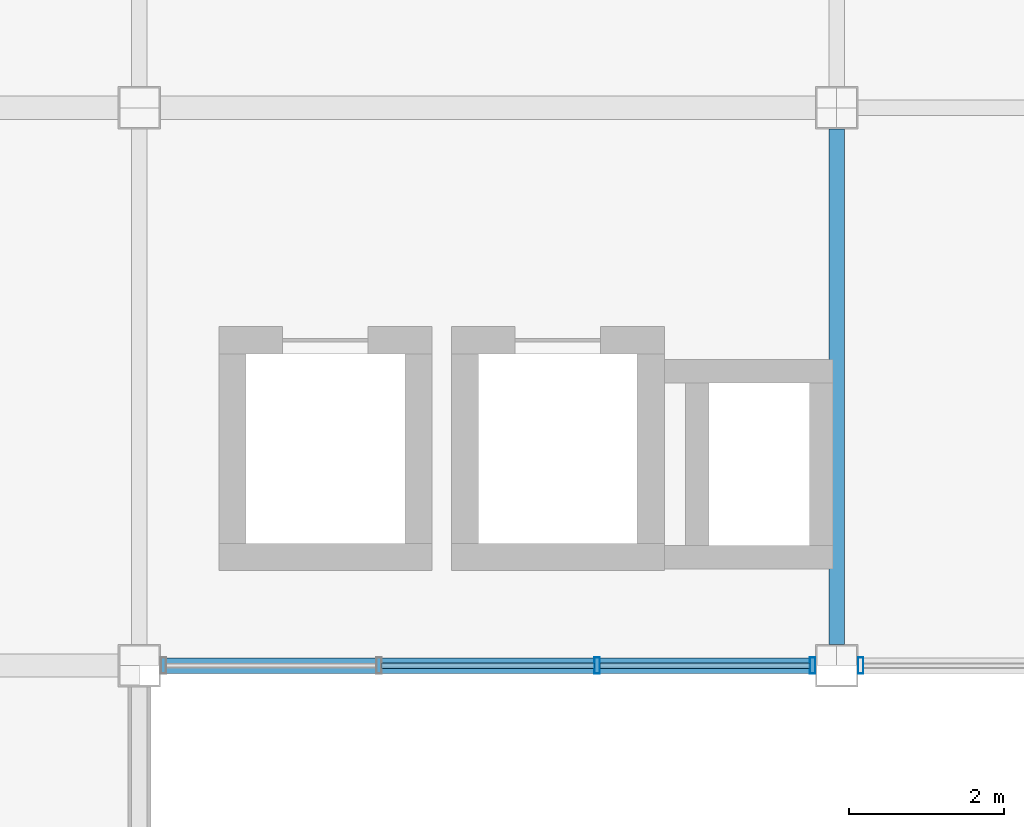
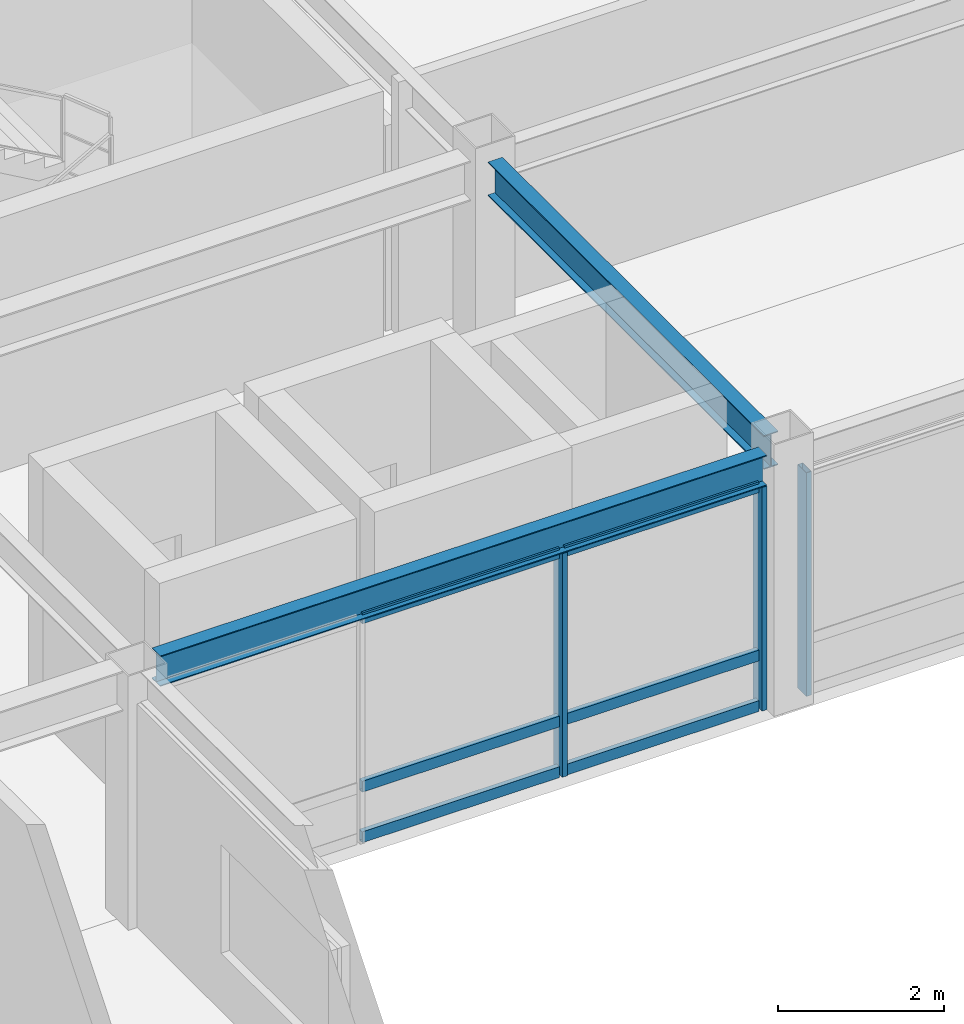
# One storey, part 59 of 113: 9 members, 2 beams, 2 elements without a shape of their own.
"""IFC4 building model written with IfcOpenShell, lengths in metres."""

from ifc_helpers import new_model, si_unit, direction, frame, origin, origin_2d, place, context, subcontext, project, spatial, hollow_rectangle, i_section, extrude, material, material_profile, profile_set, type_object, element, aggregate, save


model = new_model("IFC4")

# Units and contexts
model_context = context("Model", 3, precision=1e-05, world=origin(), true_north=direction((0.0, 1.0)))
body_context = subcontext(model_context, "Body", "Model", "MODEL_VIEW")
ifc_project = project(units=[si_unit("LENGTHUNIT", "METRE"), si_unit("AREAUNIT", "SQUARE_METRE"), si_unit("VOLUMEUNIT", "CUBIC_METRE"), si_unit("PLANEANGLEUNIT", "RADIAN"), si_unit("MASSUNIT", "GRAM", prefix="KILO")], contexts=[model_context])

# Site, building, storey
site_placement = place(None, origin())
site = spatial("IfcSite", under=ifc_project, at=site_placement, CompositionType="ELEMENT")
building_placement = place(site_placement, origin())
building = spatial("IfcBuilding", under=site, at=building_placement, Name="Kazanami Central Library", CompositionType="ELEMENT")
storey_placement = place(building_placement, frame((0.0, 0.0, 8.800048828125)))
storey = spatial("IfcBuildingStorey", under=building, at=storey_placement, Name="L03", CompositionType="ELEMENT", Elevation=8.800048828125)

# Beams
ifc_material_1 = material(Name="Steel SN490B (325 MPa)", Category="steel")
ifc_material_profile_1 = material_profile(ifc_material_1, i_section(OverallWidth=0.199951171875, OverallDepth=0.5, WebThickness=0.010009765625, FlangeThickness=0.01611328125, at=origin_2d()), Name="H-500x200x10x16")
ifc_profile_set_1 = profile_set([ifc_material_profile_1], Name="Steel SN490B (325 MPa)")
beam_type_1 = type_object("IfcBeamType", Name="BM-G-Y2", PredefinedType="BEAM", material=ifc_profile_set_1)
beam_1_placement = place(storey_placement, frame((63.0, 65.072998046875, 3.494873046875), z_axis=(0.0, 1.0, 0.0), x_axis=(-1.0, 0.0, 0.0)))
element("IfcBeam", 1, at=beam_1_placement, inside=storey, type_object=beam_type_1, Name="Girder G-Y2 L03 8/K-L", PredefinedType="BEAM", context=body_context, shape_type="SweptSolid", body=[
    extrude(i_section(OverallWidth=0.199951171875, OverallDepth=0.5, WebThickness=0.010009765625, FlangeThickness=0.01611328125, at=origin_2d()), origin(), (0.0, 0.0, 1.0), 6.654052734375),
])
ifc_material_profile_2 = material_profile(ifc_material_1, i_section(OverallWidth=0.199951171875, OverallDepth=0.449951171875, WebThickness=0.009033203125, FlangeThickness=0.013916015625, at=origin_2d()), Name="H-450x200x9x14")
ifc_profile_set_2 = profile_set([ifc_material_profile_2], Name="Steel SN490B (325 MPa)")
beam_type_2 = type_object("IfcBeamType", Name="BM-SP-2", PredefinedType="SPANDREL", material=ifc_profile_set_2)
beam_2_placement = place(storey_placement, frame((54.27294921875, 64.800048828125, 3.52001953125), z_axis=(1.0, 0.0, 0.0), x_axis=(0.0, 1.0, 0.0)))
element("IfcBeam", 2, at=beam_2_placement, inside=storey, type_object=beam_type_2, Name="Girder SP-2 L03 K/7-8", PredefinedType="SPANDREL", context=body_context, shape_type="SweptSolid", body=[
    extrude(i_section(OverallWidth=0.199951171875, OverallDepth=0.449951171875, WebThickness=0.009033203125, FlangeThickness=0.013916015625, at=origin_2d()), origin(), (0.0, 0.0, 1.0), 8.4541015625),
])

# Curtain wall, members
ifc_material_2 = material(Name="Acid-Etched Low-E Laminated Glass", Category="glass")
curtain_wall_type = type_object("IfcCurtainWallType", Name="CW-8450x3295-M275", PredefinedType="USERDEFINED", material=ifc_material_2)
curtain_wall_1_placement = place(storey_placement, origin())
curtain_wall_1 = element("IfcCurtainWall", 3, at=curtain_wall_1_placement, inside=storey, type_object=curtain_wall_type, Name="Unitised Curtain Wall CW-29 L03 S-K-06", ObjectType="UNITISED CURTAIN WALL", PredefinedType="USERDEFINED")
ifc_material_3 = material(Name="Anodised Aluminium A6063-T5", Category="aluminium")
ifc_material_profile_3 = material_profile(ifc_material_3, hollow_rectangle(XDim=0.070068359375, YDim=0.2099609375, WallThickness=0.0048828125, at=origin_2d()), Name="ALU-MULL-70x210x5")
ifc_profile_set_3 = profile_set([ifc_material_profile_3], Name="Anodised Aluminium A6063-T5")
member_type_1 = type_object("IfcMemberType", Name="MEM-CW-M1", PredefinedType="MULLION", material=ifc_profile_set_3)
member_1_placement = place(storey_placement, frame((59.908447265625, 64.800048828125, 0.0), z_axis=(0.0, 0.0, 1.0), x_axis=(1.0, 0.0, 0.0)))
member_1 = element("IfcMember", 4, at=member_1_placement, type_object=member_type_1, Name="CW-29 mullion 3", PredefinedType="MULLION", context=body_context, shape_type="SweptSolid", body=[
    extrude(hollow_rectangle(XDim=0.070068359375, YDim=0.2099609375, WallThickness=0.0048828125, at=origin_2d()), origin(), (0.0, 0.0, 1.0), 3.294921875),
])
member_2_placement = place(storey_placement, frame((62.68994140625, 64.800048828125, 0.0), z_axis=(0.0, 0.0, 1.0), x_axis=(1.0, 0.0, 0.0)))
member_2 = element("IfcMember", 5, at=member_2_placement, type_object=member_type_1, Name="CW-29 mullion 4", PredefinedType="MULLION", context=body_context, shape_type="SweptSolid", body=[
    extrude(hollow_rectangle(XDim=0.070068359375, YDim=0.2099609375, WallThickness=0.0048828125, at=origin_2d()), origin(), (0.0, 0.0, 1.0), 3.294921875),
])

# Curtain wall, member
curtain_wall_2_placement = place(storey_placement, origin())
curtain_wall_2 = element("IfcCurtainWall", 6, at=curtain_wall_2_placement, inside=storey, type_object=curtain_wall_type, Name="Unitised Curtain Wall CW-29 L03 S-K-07", ObjectType="UNITISED CURTAIN WALL", PredefinedType="USERDEFINED")
member_3_placement = place(storey_placement, frame((63.31005859375, 64.800048828125, 0.0), z_axis=(0.0, 0.0, 1.0), x_axis=(1.0, 0.0, 0.0)))
member_3 = element("IfcMember", 7, at=member_3_placement, type_object=member_type_1, Name="CW-29 mullion 1", PredefinedType="MULLION", context=body_context, shape_type="SweptSolid", body=[
    extrude(hollow_rectangle(XDim=0.070068359375, YDim=0.2099609375, WallThickness=0.0048828125, at=origin_2d()), origin(), (0.0, 0.0, 1.0), 3.294921875),
])
aggregate(curtain_wall_2, [member_3])

# Member
ifc_material_profile_4 = material_profile(ifc_material_3, hollow_rectangle(XDim=0.070068359375, YDim=0.159912109375, WallThickness=0.00390625, at=origin_2d()), Name="ALU-TRAN-70x160x4")
ifc_profile_set_4 = profile_set([ifc_material_profile_4], Name="Anodised Aluminium A6063-T5")
member_type_2 = type_object("IfcMemberType", Name="MEM-CW-T1", PredefinedType="USERDEFINED", material=ifc_profile_set_4)
member_4_placement = place(storey_placement, frame((57.126708984375, 64.800048828125, 0.034912109375), z_axis=(1.0, 0.0, 0.0), x_axis=(0.0, 1.0, 0.0)))
member_4 = element("IfcMember", 8, at=member_4_placement, type_object=member_type_2, Name="CW-29 transom 2.1", ObjectType="TRANSOM", PredefinedType="USERDEFINED", context=body_context, shape_type="SweptSolid", body=[
    extrude(hollow_rectangle(XDim=0.070068359375, YDim=0.159912109375, WallThickness=0.00390625, at=origin_2d()), origin(), (0.0, 0.0, 1.0), 2.74658203125),
])

member_5_placement = place(storey_placement, frame((57.126708984375, 64.800048828125, 0.780029296875), z_axis=(1.0, 0.0, 0.0), x_axis=(0.0, 1.0, 0.0)))
member_5 = element("IfcMember", 9, at=member_5_placement, type_object=member_type_2, Name="CW-29 transom 2.2", ObjectType="TRANSOM", PredefinedType="USERDEFINED", context=body_context, shape_type="SweptSolid", body=[
    extrude(hollow_rectangle(XDim=0.070068359375, YDim=0.159912109375, WallThickness=0.00390625, at=origin_2d()), origin(), (0.0, 0.0, 1.0), 2.74658203125),
])

member_6_placement = place(storey_placement, frame((57.126708984375, 64.800048828125, 3.260009765625), z_axis=(1.0, 0.0, 0.0), x_axis=(0.0, 1.0, 0.0)))
member_6 = element("IfcMember", 10, at=member_6_placement, type_object=member_type_2, Name="CW-29 transom 2.3", ObjectType="TRANSOM", PredefinedType="USERDEFINED", context=body_context, shape_type="SweptSolid", body=[
    extrude(hollow_rectangle(XDim=0.070068359375, YDim=0.159912109375, WallThickness=0.00390625, at=origin_2d()), origin(), (0.0, 0.0, 1.0), 2.74658203125),
])

member_7_placement = place(storey_placement, frame((59.943359375, 64.800048828125, 0.034912109375), z_axis=(1.0, 0.0, 0.0), x_axis=(0.0, 1.0, 0.0)))
member_7 = element("IfcMember", 11, at=member_7_placement, type_object=member_type_2, Name="CW-29 transom 3.1", ObjectType="TRANSOM", PredefinedType="USERDEFINED", context=body_context, shape_type="SweptSolid", body=[
    extrude(hollow_rectangle(XDim=0.070068359375, YDim=0.159912109375, WallThickness=0.00390625, at=origin_2d()), origin(), (0.0, 0.0, 1.0), 2.711669921875),
])

member_8_placement = place(storey_placement, frame((59.943359375, 64.800048828125, 0.780029296875), z_axis=(1.0, 0.0, 0.0), x_axis=(0.0, 1.0, 0.0)))
member_8 = element("IfcMember", 12, at=member_8_placement, type_object=member_type_2, Name="CW-29 transom 3.2", ObjectType="TRANSOM", PredefinedType="USERDEFINED", context=body_context, shape_type="SweptSolid", body=[
    extrude(hollow_rectangle(XDim=0.070068359375, YDim=0.159912109375, WallThickness=0.00390625, at=origin_2d()), origin(), (0.0, 0.0, 1.0), 2.711669921875),
])

member_9_placement = place(storey_placement, frame((59.943359375, 64.800048828125, 3.260009765625), z_axis=(1.0, 0.0, 0.0), x_axis=(0.0, 1.0, 0.0)))
member_9 = element("IfcMember", 13, at=member_9_placement, type_object=member_type_2, Name="CW-29 transom 3.3", ObjectType="TRANSOM", PredefinedType="USERDEFINED", context=body_context, shape_type="SweptSolid", body=[
    extrude(hollow_rectangle(XDim=0.070068359375, YDim=0.159912109375, WallThickness=0.00390625, at=origin_2d()), origin(), (0.0, 0.0, 1.0), 2.711669921875),
])

aggregate(curtain_wall_1, [member_1, member_2, member_4, member_5, member_6, member_7, member_8, member_9])

save(model, "model.ifc")
